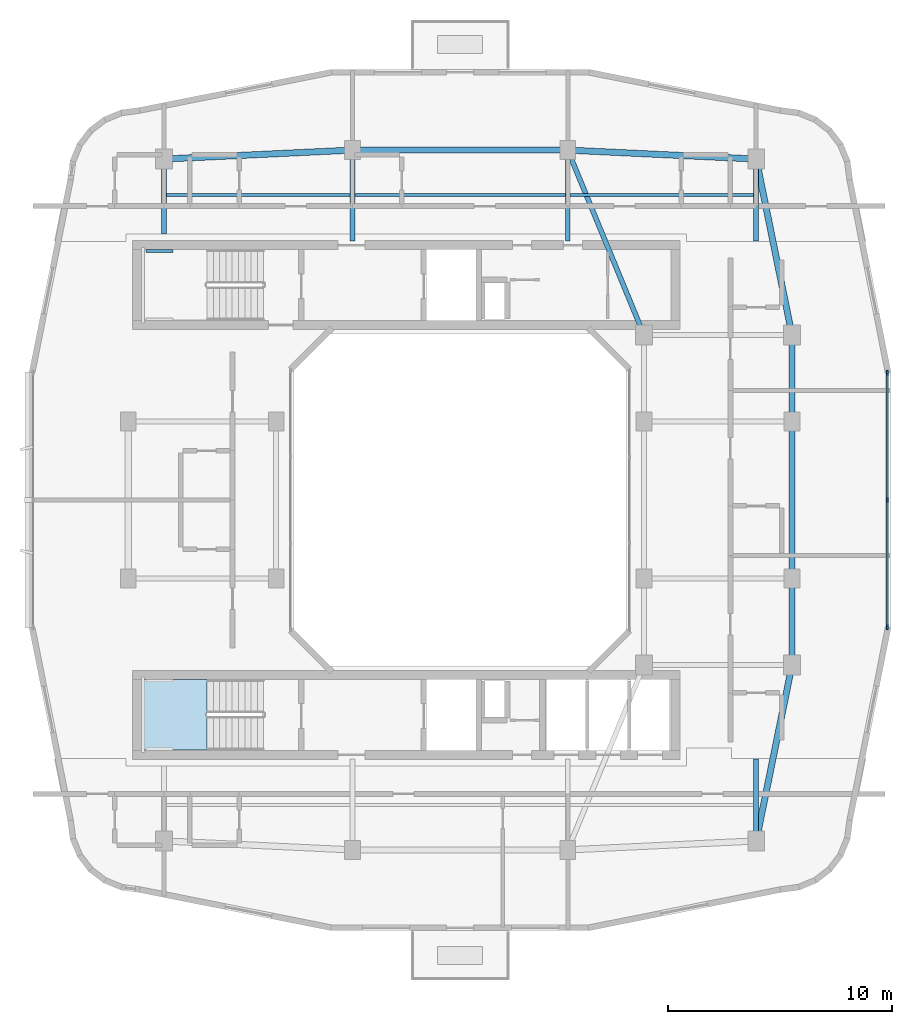
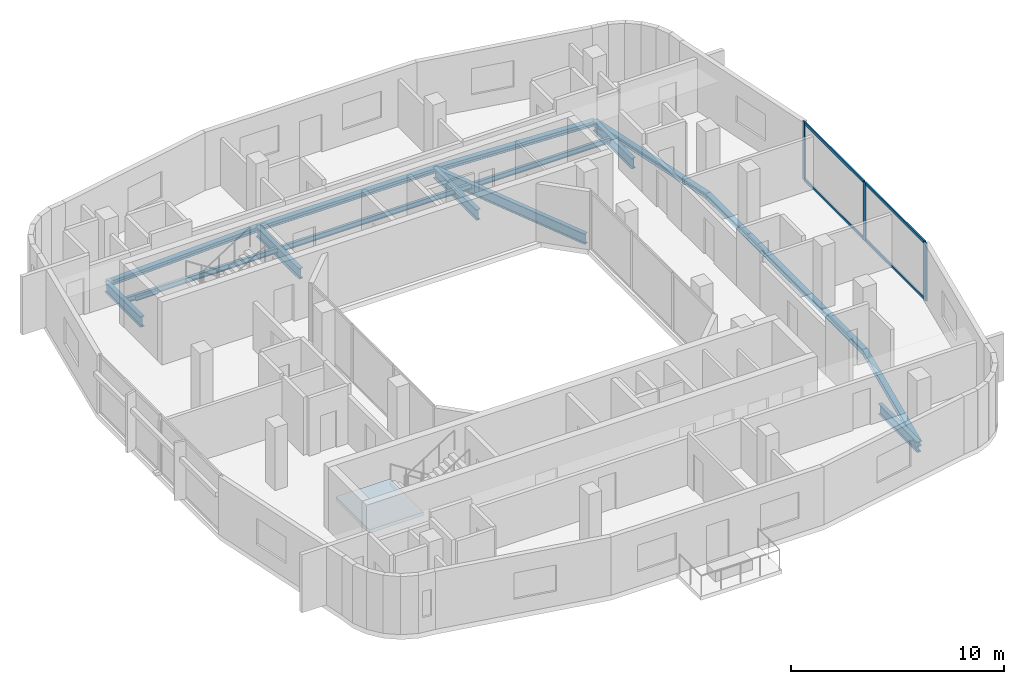
# One storey, part 4 of 13: 18 beams, 7 members, 1 slab, 2 elements without a shape of their own.
"""IFC4 building model written with IfcOpenShell, lengths in metres."""

from ifc_helpers import new_model, si_unit, derived_unit, direction, frame, origin, origin_2d, place, context, subcontext, project, spatial, polyline, rectangle, i_section, outline, extrude, material, layer, layer_set, material_profile, profile_set, type_object, element, aggregate, save


model = new_model("IFC4")

# Units and contexts
model_context = context("Model", 3, precision=1e-05, world=origin(), true_north=direction((0.0, 1.0)))
body_context = subcontext(model_context, "Body", "Model", "MODEL_VIEW")
ifc_project = project(units=[si_unit("LENGTHUNIT", "METRE"), si_unit("AREAUNIT", "SQUARE_METRE"), si_unit("VOLUMEUNIT", "CUBIC_METRE"), si_unit("PLANEANGLEUNIT", "RADIAN"), si_unit("MASSUNIT", "GRAM", prefix="KILO"), derived_unit("THERMALTRANSMITTANCEUNIT", [(si_unit("POWERUNIT", "WATT"), 1), (si_unit("LENGTHUNIT", "METRE"), -2), (si_unit("THERMODYNAMICTEMPERATUREUNIT", "KELVIN"), -1)])], contexts=[model_context])

# Site, building, storey
site_placement = place(None, origin())
site = spatial("IfcSite", under=ifc_project, at=site_placement, CompositionType="ELEMENT")
building_placement = place(site_placement, origin())
building = spatial("IfcBuilding", under=site, at=building_placement, Name="Kivonza Crest Hotel", CompositionType="ELEMENT")
storey_placement = place(building_placement, frame((0.0, 0.0, 220.699951171875)))
storey = spatial("IfcBuildingStorey", under=building, at=storey_placement, Name="L60", CompositionType="ELEMENT", Elevation=220.699951171875)

# Beams
ifc_material_1 = material(Name="Steel S355", Category="steel")
ifc_material_profile_1 = material_profile(ifc_material_1, i_section(OverallWidth=0.280029296875, OverallDepth=0.280029296875, WebThickness=0.010498046875, FlangeThickness=0.01806640625, FilletRadius=0.02392578125, at=origin_2d()), Name="HEB 280")
ifc_profile_set_1 = profile_set([ifc_material_profile_1], Name="Steel S355")
beam_type_1 = type_object("IfcBeamType", Name="BM-HEB280", PredefinedType="SPANDREL", material=ifc_profile_set_1)
beam_1_placement = place(storey_placement, frame((34.199951171875, 9.800048828125, -0.419921875), z_axis=(0.199730733965, 0.979850822273, 0.0), x_axis=(-0.979850822273, 0.199730733965, 0.0)))
element("IfcBeam", 1, at=beam_1_placement, inside=storey, type_object=beam_type_1, Name="Tower T1 L60 perimeter spandrel SE-PSE", PredefinedType="SPANDREL", context=body_context, shape_type="SweptSolid", body=[
    extrude(i_section(OverallWidth=0.280029296875, OverallDepth=0.280029296875, WebThickness=0.010498046875, FlangeThickness=0.01806640625, FilletRadius=0.02392578125, at=origin_2d()), origin(), (0.0, 0.0, 1.0), 8.01123046875),
])
beam_2_placement = place(storey_placement, frame((35.800048828125, 17.64990234375, -0.419921875), z_axis=(0.0, 1.0, 0.0), x_axis=(-1.0, 0.0, 0.0)))
element("IfcBeam", 2, at=beam_2_placement, inside=storey, type_object=beam_type_1, Name="Tower T1 L60 perimeter spandrel PSE-E1", PredefinedType="SPANDREL", context=body_context, shape_type="SweptSolid", body=[
    extrude(i_section(OverallWidth=0.280029296875, OverallDepth=0.280029296875, WebThickness=0.010498046875, FlangeThickness=0.01806640625, FilletRadius=0.02392578125, at=origin_2d()), origin(), (0.0, 0.0, 1.0), 3.85009765625),
])
beam_3_placement = place(storey_placement, frame((35.800048828125, 21.5, -0.419921875), z_axis=(0.0, 1.0, 0.0), x_axis=(-1.0, 0.0, 0.0)))
element("IfcBeam", 3, at=beam_3_placement, inside=storey, type_object=beam_type_1, Name="Tower T1 L60 perimeter spandrel E1-E2", PredefinedType="SPANDREL", context=body_context, shape_type="SweptSolid", body=[
    extrude(i_section(OverallWidth=0.280029296875, OverallDepth=0.280029296875, WebThickness=0.010498046875, FlangeThickness=0.01806640625, FilletRadius=0.02392578125, at=origin_2d()), origin(), (0.0, 0.0, 1.0), 7.0),
])
beam_4_placement = place(storey_placement, frame((35.800048828125, 28.5, -0.419921875), z_axis=(0.0, 1.0, 0.0), x_axis=(-1.0, 0.0, 0.0)))
element("IfcBeam", 4, at=beam_4_placement, inside=storey, type_object=beam_type_1, Name="Tower T1 L60 perimeter spandrel E2-PNE", PredefinedType="SPANDREL", context=body_context, shape_type="SweptSolid", body=[
    extrude(i_section(OverallWidth=0.280029296875, OverallDepth=0.280029296875, WebThickness=0.010498046875, FlangeThickness=0.01806640625, FilletRadius=0.02392578125, at=origin_2d()), origin(), (0.0, 0.0, 1.0), 3.85009765625),
])
beam_5_placement = place(storey_placement, frame((35.800048828125, 32.35009765625, -0.419921875), z_axis=(-0.199730733965, 0.979850822273, 0.0), x_axis=(-0.979850822273, -0.199730733965, 0.0)))
element("IfcBeam", 5, at=beam_5_placement, inside=storey, type_object=beam_type_1, Name="Tower T1 L60 perimeter spandrel PNE-NE", PredefinedType="SPANDREL", context=body_context, shape_type="SweptSolid", body=[
    extrude(i_section(OverallWidth=0.280029296875, OverallDepth=0.280029296875, WebThickness=0.010498046875, FlangeThickness=0.01806640625, FilletRadius=0.02392578125, at=origin_2d()), origin(), (0.0, 0.0, 1.0), 8.01123046875),
])
beam_6_placement = place(storey_placement, frame((34.199951171875, 40.199951171875, -0.419921875), z_axis=(-0.998867283688, 0.047583080799, 0.0), x_axis=(-0.047583080799, -0.998867283688, 0.0)))
element("IfcBeam", 6, at=beam_6_placement, inside=storey, type_object=beam_type_1, Name="Tower T1 L60 perimeter spandrel NE-N2", PredefinedType="SPANDREL", context=body_context, shape_type="SweptSolid", body=[
    extrude(i_section(OverallWidth=0.280029296875, OverallDepth=0.280029296875, WebThickness=0.010498046875, FlangeThickness=0.01806640625, FilletRadius=0.02392578125, at=origin_2d()), origin(), (0.0, 0.0, 1.0), 8.409423828125),
])
beam_7_placement = place(storey_placement, frame((25.800048828125, 40.60009765625, -0.419921875), z_axis=(-1.0, 0.0, 0.0), x_axis=(0.0, -1.0, 0.0)))
element("IfcBeam", 7, at=beam_7_placement, inside=storey, type_object=beam_type_1, Name="Tower T1 L60 perimeter spandrel N2-N1", PredefinedType="SPANDREL", context=body_context, shape_type="SweptSolid", body=[
    extrude(i_section(OverallWidth=0.280029296875, OverallDepth=0.280029296875, WebThickness=0.010498046875, FlangeThickness=0.01806640625, FilletRadius=0.02392578125, at=origin_2d()), origin(), (0.0, 0.0, 1.0), 9.60009765625),
])
beam_8_placement = place(storey_placement, frame((16.199951171875, 40.60009765625, -0.419921875), z_axis=(-0.998867283688, -0.047583080799, 0.0), x_axis=(0.047583080799, -0.998867283688, 0.0)))
element("IfcBeam", 8, at=beam_8_placement, inside=storey, type_object=beam_type_1, Name="Tower T1 L60 perimeter spandrel N1-NW", PredefinedType="SPANDREL", context=body_context, shape_type="SweptSolid", body=[
    extrude(i_section(OverallWidth=0.280029296875, OverallDepth=0.280029296875, WebThickness=0.010498046875, FlangeThickness=0.01806640625, FilletRadius=0.02392578125, at=origin_2d()), origin(), (0.0, 0.0, 1.0), 8.409423828125),
])
ifc_material_profile_2 = material_profile(ifc_material_1, i_section(OverallWidth=0.14990234375, OverallDepth=0.300048828125, WebThickness=0.007080078125, FlangeThickness=0.0107421875, FilletRadius=0.014892578125, at=origin_2d()), Name="IPE 300")
ifc_profile_set_2 = profile_set([ifc_material_profile_2], Name="Steel S355")
beam_type_2 = type_object("IfcBeamType", Name="BM-IPE300", PredefinedType="JOIST", material=ifc_profile_set_2)
beam_9_placement = place(storey_placement, frame((7.8798828125, 38.60009765625, -0.429931640625), z_axis=(1.0, 0.0, 0.0), x_axis=(0.0, 1.0, 0.0)))
element("IfcBeam", 9, at=beam_9_placement, inside=storey, type_object=beam_type_2, Name="Tower T1 L60 North-West floor joist", PredefinedType="JOIST", context=body_context, shape_type="SweptSolid", body=[
    extrude(i_section(OverallWidth=0.14990234375, OverallDepth=0.300048828125, WebThickness=0.007080078125, FlangeThickness=0.0107421875, FilletRadius=0.014892578125, at=origin_2d()), origin(), (0.0, 0.0, 1.0), 8.240234375),
])
beam_10_placement = place(storey_placement, frame((16.280029296875, 38.60009765625, -0.429931640625), z_axis=(1.0, 0.0, 0.0), x_axis=(0.0, 1.0, 0.0)))
element("IfcBeam", 10, at=beam_10_placement, inside=storey, type_object=beam_type_2, Name="Tower T1 L60 North-Mid floor joist", PredefinedType="JOIST", context=body_context, shape_type="SweptSolid", body=[
    extrude(i_section(OverallWidth=0.14990234375, OverallDepth=0.300048828125, WebThickness=0.007080078125, FlangeThickness=0.0107421875, FilletRadius=0.014892578125, at=origin_2d()), origin(), (0.0, 0.0, 1.0), 9.43994140625),
])
beam_11_placement = place(storey_placement, frame((25.8798828125, 38.60009765625, -0.429931640625), z_axis=(1.0, 0.0, 0.0), x_axis=(0.0, 1.0, 0.0)))
element("IfcBeam", 11, at=beam_11_placement, inside=storey, type_object=beam_type_2, Name="Tower T1 L60 North-East floor joist", PredefinedType="JOIST", context=body_context, shape_type="SweptSolid", body=[
    extrude(i_section(OverallWidth=0.14990234375, OverallDepth=0.300048828125, WebThickness=0.007080078125, FlangeThickness=0.0107421875, FilletRadius=0.014892578125, at=origin_2d()), origin(), (0.0, 0.0, 1.0), 8.240234375),
])
ifc_material_profile_3 = material_profile(ifc_material_1, i_section(OverallWidth=0.219970703125, OverallDepth=0.60009765625, WebThickness=0.011962890625, FlangeThickness=0.01904296875, FilletRadius=0.02392578125, at=origin_2d()), Name="IPE 600")
ifc_profile_set_3 = profile_set([ifc_material_profile_3], Name="Steel S355")
beam_type_3 = type_object("IfcBeamType", Name="BM-IPE600", PredefinedType="BEAM", material=ifc_profile_set_3)
beam_12_placement = place(storey_placement, frame((25.800048828125, 40.60009765625, -0.579833984375), z_axis=(0.381022260404, -0.924565864109, 0.0), x_axis=(0.924565864109, 0.381022260404, 0.0)))
element("IfcBeam", 12, at=beam_12_placement, inside=storey, type_object=beam_type_3, Name="Tower T1 L60 primary girder N1-TNE", PredefinedType="BEAM", context=body_context, shape_type="SweptSolid", body=[
    extrude(i_section(OverallWidth=0.219970703125, OverallDepth=0.60009765625, WebThickness=0.011962890625, FlangeThickness=0.01904296875, FilletRadius=0.02392578125, at=origin_2d()), origin(), (0.0, 0.0, 1.0), 8.923095703125),
])
beam_13_placement = place(storey_placement, frame((34.199951171875, 9.800048828125, -0.579833984375), z_axis=(0.0, 1.0, 0.0), x_axis=(-1.0, 0.0, 0.0)))
element("IfcBeam", 13, at=beam_13_placement, inside=storey, type_object=beam_type_3, Name="Tower T1 L60 radial core girder RSE", PredefinedType="BEAM", context=body_context, shape_type="SweptSolid", body=[
    extrude(i_section(OverallWidth=0.219970703125, OverallDepth=0.60009765625, WebThickness=0.011962890625, FlangeThickness=0.01904296875, FilletRadius=0.02392578125, at=origin_2d()), origin(), (0.0, 0.0, 1.0), 3.64990234375),
])
beam_14_placement = place(storey_placement, frame((7.800048828125, 40.199951171875, -0.579833984375), z_axis=(0.0, -1.0, 0.0), x_axis=(1.0, 0.0, 0.0)))
element("IfcBeam", 14, at=beam_14_placement, inside=storey, type_object=beam_type_3, Name="Tower T1 L60 radial core girder RNW", PredefinedType="BEAM", context=body_context, shape_type="SweptSolid", body=[
    extrude(i_section(OverallWidth=0.219970703125, OverallDepth=0.60009765625, WebThickness=0.011962890625, FlangeThickness=0.01904296875, FilletRadius=0.02392578125, at=origin_2d()), origin(), (0.0, 0.0, 1.0), 3.349853515625),
])
for number, where, z_axis, x_axis, name in (
    (15, (16.199951171875, 40.60009765625, -0.579833984375), (0.0, -1.0, 0.0), (1.0, 0.0, 0.0), "Tower T1 L60 radial core girder RN1"),
    (16, (25.800048828125, 40.60009765625, -0.579833984375), (0.0, -1.0, 0.0), (1.0, 0.0, 0.0), "Tower T1 L60 radial core girder RN2"),
):
    element("IfcBeam", number, at=place(storey_placement, frame(where, z_axis=z_axis, x_axis=x_axis)), inside=storey, type_object=beam_type_3, Name=name, PredefinedType="BEAM", context=body_context, shape_type="SweptSolid", body=[
        extrude(i_section(OverallWidth=0.219970703125, OverallDepth=0.60009765625, WebThickness=0.011962890625, FlangeThickness=0.01904296875, FilletRadius=0.02392578125, at=origin_2d()), origin(), (0.0, 0.0, 1.0), 4.050048828125),
    ])
beam_15_placement = place(storey_placement, frame((34.199951171875, 40.199951171875, -0.579833984375), z_axis=(0.0, -1.0, 0.0), x_axis=(1.0, 0.0, 0.0)))
element("IfcBeam", 17, at=beam_15_placement, inside=storey, type_object=beam_type_3, Name="Tower T1 L60 radial core girder RNE", PredefinedType="BEAM", context=body_context, shape_type="SweptSolid", body=[
    extrude(i_section(OverallWidth=0.219970703125, OverallDepth=0.60009765625, WebThickness=0.011962890625, FlangeThickness=0.01904296875, FilletRadius=0.02392578125, at=origin_2d()), origin(), (0.0, 0.0, 1.0), 3.64990234375),
])
ifc_material_profile_4 = material_profile(ifc_material_1, i_section(OverallWidth=0.1201171875, OverallDepth=0.239990234375, WebThickness=0.006103515625, FlangeThickness=0.009765625, FilletRadius=0.014892578125, at=origin_2d()), Name="IPE 240")
ifc_profile_set_4 = profile_set([ifc_material_profile_4], Name="Steel S355")
beam_type_4 = type_object("IfcBeamType", Name="BM-LLDG-240", PredefinedType="BEAM", material=ifc_profile_set_4)
beam_16_placement = place(storey_placement, frame((6.989990234375, 36.10009765625, 1.47998046875), z_axis=(1.0, 0.0, 0.0), x_axis=(0.0, 1.0, 0.0)))
element("IfcBeam", 18, at=beam_16_placement, inside=storey, type_object=beam_type_4, Name="Stair ST-T1-N L60 North landing corbel", PredefinedType="BEAM", context=body_context, shape_type="SweptSolid", body=[
    extrude(i_section(OverallWidth=0.1201171875, OverallDepth=0.239990234375, WebThickness=0.006103515625, FlangeThickness=0.009765625, FilletRadius=0.014892578125, at=origin_2d()), origin(), (0.0, 0.0, 1.0), 1.2099609375),
])

# Curtain wall, members
ifc_material_2 = material(Name="Anodised bronze aluminium and low-E double glazing", Category="aluminium")
ifc_layer_1 = layer(ifc_material_2, 0.179931640625)
ifc_layer_set_1 = layer_set([ifc_layer_1], Name="Anodised bronze aluminium and low-E double glazing")
curtain_wall_type = type_object("IfcCurtainWallType", Name="CW-SYS-3", PredefinedType="NOTDEFINED", material=ifc_layer_set_1)
curtain_wall_placement = place(storey_placement, origin())
curtain_wall = element("IfcCurtainWall", 19, at=curtain_wall_placement, inside=storey, type_object=curtain_wall_type, Name="L60 unitised curtain wall CW-T1-L60-17", PredefinedType="NOTDEFINED")
ifc_material_3 = material(Name="Anodised bronze aluminium", Category="aluminium")
ifc_material_profile_5 = material_profile(ifc_material_3, rectangle(XDim=0.074951171875, YDim=0.219970703125, at=origin_2d()), Name="CW-M 75x220")
ifc_profile_set_5 = profile_set([ifc_material_profile_5], Name="Anodised bronze aluminium")
member_type_1 = type_object("IfcMemberType", Name="CW-MUL-75x220", PredefinedType="MULLION", material=ifc_profile_set_5)
member_1_placement = place(storey_placement, frame((40.0400390625, 19.3173828125, 0.0), z_axis=(0.0, 0.0, 1.0), x_axis=(-1.0, 0.0, 0.0)))
member_1 = element("IfcMember", 20, at=member_1_placement, type_object=member_type_1, Name="CW-3 mullion 1", PredefinedType="MULLION", context=body_context, shape_type="SweptSolid", body=[
    extrude(rectangle(XDim=0.074951171875, YDim=0.219970703125, at=origin_2d()), origin(), (0.0, 0.0, 1.0), 3.320068359375),
])
member_2_placement = place(storey_placement, frame((40.0400390625, 25.0, 0.0), z_axis=(0.0, 0.0, 1.0), x_axis=(-1.0, 0.0, 0.0)))
member_2 = element("IfcMember", 21, at=member_2_placement, type_object=member_type_1, Name="CW-3 mullion 2", PredefinedType="MULLION", context=body_context, shape_type="SweptSolid", body=[
    extrude(rectangle(XDim=0.074951171875, YDim=0.219970703125, at=origin_2d()), origin(), (0.0, 0.0, 1.0), 3.320068359375),
])
member_3_placement = place(storey_placement, frame((40.0400390625, 30.6826171875, 0.0), z_axis=(0.0, 0.0, 1.0), x_axis=(-1.0, 0.0, 0.0)))
member_3 = element("IfcMember", 22, at=member_3_placement, type_object=member_type_1, Name="CW-3 mullion 3", PredefinedType="MULLION", context=body_context, shape_type="SweptSolid", body=[
    extrude(rectangle(XDim=0.074951171875, YDim=0.219970703125, at=origin_2d()), origin(), (0.0, 0.0, 1.0), 3.320068359375),
])
ifc_material_profile_6 = material_profile(ifc_material_3, rectangle(XDim=0.074951171875, YDim=0.159912109375, at=origin_2d()), Name="CW-T 75x160")
ifc_profile_set_6 = profile_set([ifc_material_profile_6], Name="Anodised bronze aluminium")
member_type_2 = type_object("IfcMemberType", Name="CW-TRN-75x160", PredefinedType="USERDEFINED", material=ifc_profile_set_6)
member_4_placement = place(storey_placement, frame((40.0400390625, 19.35498046875, 0.03759765625), z_axis=(0.0, 1.0, 0.0), x_axis=(-1.0, 0.0, 0.0)))
member_4 = element("IfcMember", 23, at=member_4_placement, type_object=member_type_2, Name="CW-3 transom 1.1", ObjectType="TRANSOM", PredefinedType="USERDEFINED", context=body_context, shape_type="SweptSolid", body=[
    extrude(rectangle(XDim=0.074951171875, YDim=0.159912109375, at=origin_2d()), origin(), (0.0, 0.0, 1.0), 5.607421875),
])
member_5_placement = place(storey_placement, frame((40.0400390625, 19.35498046875, 3.282470703125), z_axis=(0.0, 1.0, 0.0), x_axis=(-1.0, 0.0, 0.0)))
member_5 = element("IfcMember", 24, at=member_5_placement, type_object=member_type_2, Name="CW-3 transom 1.2", ObjectType="TRANSOM", PredefinedType="USERDEFINED", context=body_context, shape_type="SweptSolid", body=[
    extrude(rectangle(XDim=0.074951171875, YDim=0.159912109375, at=origin_2d()), origin(), (0.0, 0.0, 1.0), 5.607421875),
])
member_6_placement = place(storey_placement, frame((40.0400390625, 25.03759765625, 0.03759765625), z_axis=(0.0, 1.0, 0.0), x_axis=(-1.0, 0.0, 0.0)))
member_6 = element("IfcMember", 25, at=member_6_placement, type_object=member_type_2, Name="CW-3 transom 2.1", ObjectType="TRANSOM", PredefinedType="USERDEFINED", context=body_context, shape_type="SweptSolid", body=[
    extrude(rectangle(XDim=0.074951171875, YDim=0.159912109375, at=origin_2d()), origin(), (0.0, 0.0, 1.0), 5.607421875),
])
member_7_placement = place(storey_placement, frame((40.0400390625, 25.03759765625, 3.282470703125), z_axis=(0.0, 1.0, 0.0), x_axis=(-1.0, 0.0, 0.0)))
member_7 = element("IfcMember", 26, at=member_7_placement, type_object=member_type_2, Name="CW-3 transom 2.2", ObjectType="TRANSOM", PredefinedType="USERDEFINED", context=body_context, shape_type="SweptSolid", body=[
    extrude(rectangle(XDim=0.074951171875, YDim=0.159912109375, at=origin_2d()), origin(), (0.0, 0.0, 1.0), 5.607421875),
])
aggregate(curtain_wall, [member_1, member_2, member_3, member_4, member_5, member_6, member_7])

# Stair, slab
ifc_material_4 = material(Name="Concrete C40/50", Category="concrete")
stair_type = type_object("IfcStairType", Name="ST-DL-20R", PredefinedType="HALF_TURN_STAIR", material=ifc_material_4)
stair_placement = place(storey_placement, origin())
stair = element("IfcStair", 27, at=stair_placement, inside=storey, type_object=stair_type, Name="L60 Protected Exit Stair ST-T1-S", PredefinedType="HALF_TURN_STAIR")
ifc_layer_2 = layer(ifc_material_4, 0.199951171875)
ifc_layer_set_2 = layer_set([ifc_layer_2], Name="Concrete C40/50")
slab_type = type_object("IfcSlabType", Name="SL-LAND-200", PredefinedType="LANDING", material=ifc_layer_set_2)
slab_placement = place(storey_placement, frame((0.0, 0.0, 1.60009765625)))
slab = element("IfcSlab", 28, at=slab_placement, type_object=slab_type, Name="ST-T1-S landing 1", PredefinedType="LANDING", context=body_context, shape_type="SweptSolid", body=[
    extrude(outline(polyline([(9.719970703125, 17.0), (6.800048828125, 17.0), (6.800048828125, 13.860107421875), (9.719970703125, 13.860107421875), (9.719970703125, 17.0)])), origin(), (0.0, 0.0, 1.0), 0.199951171875),
])
aggregate(stair, [slab])

save(model, "model.ifc")
